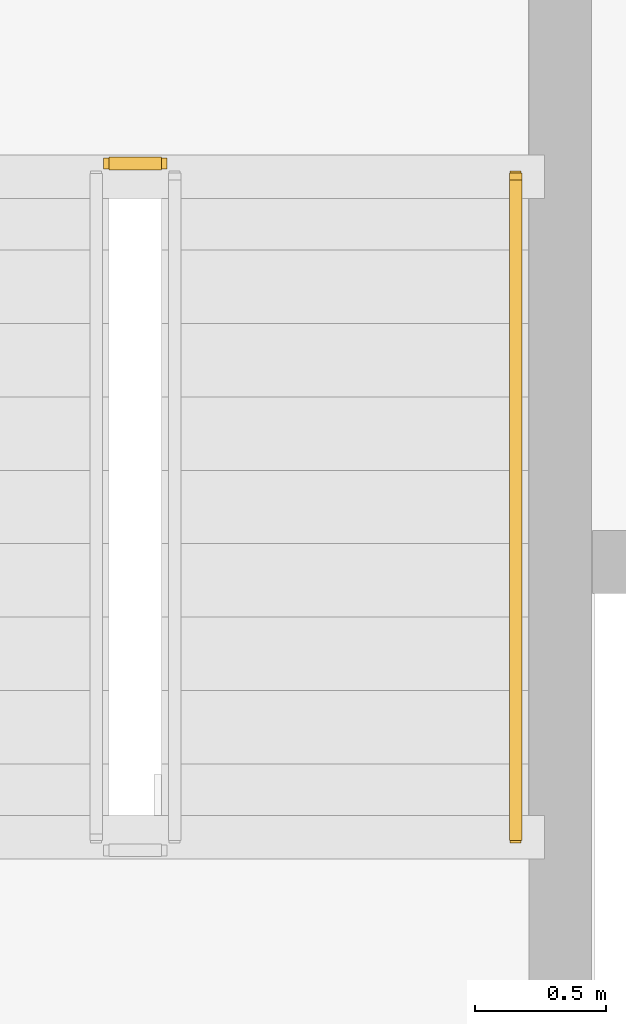
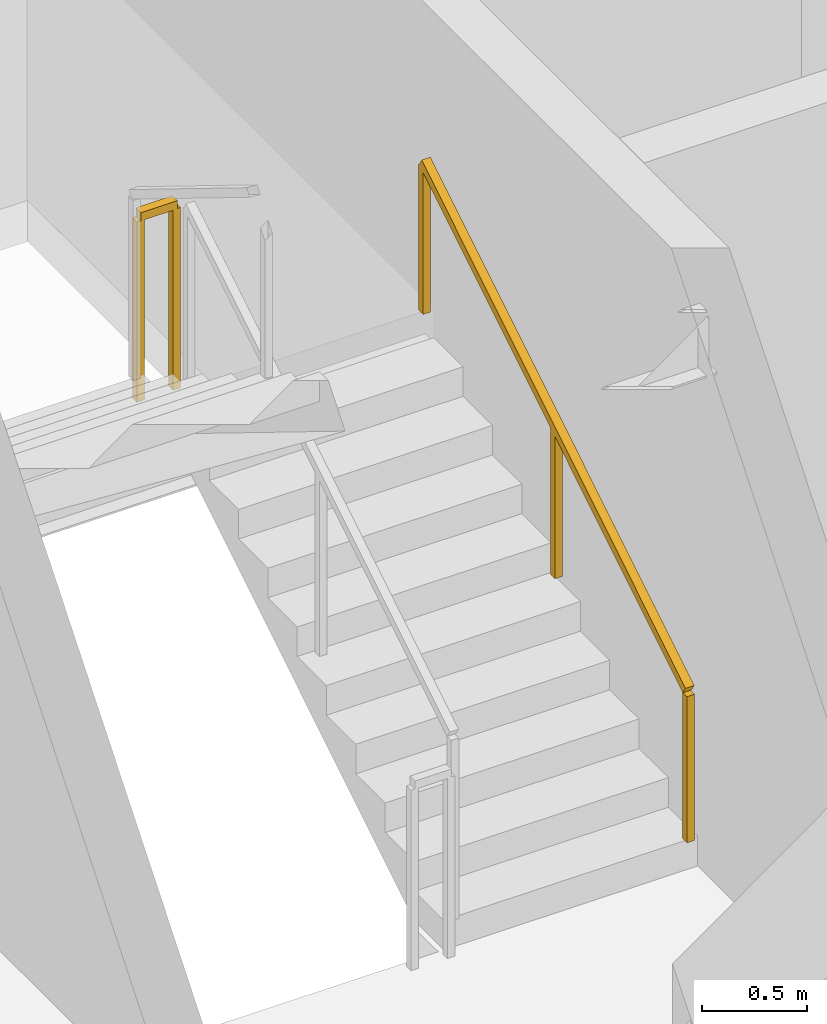
# One storey, part 10 of 11: 2 railings.
"""IFC4 building model written with IfcOpenShell, lengths in metres."""

from ifc_helpers import new_model, si_unit, direction, frame, origin, origin_2d, place, context, subcontext, project, spatial, rectangle, extrude, material, type_object, element, save


model = new_model("IFC4")

# Units and contexts
model_context = context("Model", 3, precision=1e-05, world=origin(), true_north=direction((0.0, 1.0)))
body_context = subcontext(model_context, "Body", "Model", "MODEL_VIEW")
ifc_project = project(units=[si_unit("LENGTHUNIT", "METRE"), si_unit("AREAUNIT", "SQUARE_METRE"), si_unit("VOLUMEUNIT", "CUBIC_METRE"), si_unit("PLANEANGLEUNIT", "RADIAN"), si_unit("MASSUNIT", "GRAM", prefix="KILO")], contexts=[model_context])

# Site, building, storey
site_placement = place(None, origin())
site = spatial("IfcSite", under=ifc_project, at=site_placement, CompositionType="ELEMENT")
building_placement = place(site_placement, origin())
building = spatial("IfcBuilding", under=site, at=building_placement, Name="Haldorwick Loom Tower", CompositionType="ELEMENT")
storey_placement = place(building_placement, frame((0.0, 0.0, 204.85009765625)))
storey = spatial("IfcBuildingStorey", under=building, at=storey_placement, Name="L55", CompositionType="ELEMENT", Elevation=204.85009765625)

# Railings
ifc_material = material(Name="Steel CSA G40.21 350W", Category="steel")
railing_type_1 = type_object("IfcRailingType", Name="ARC-RLG-GUARD112", PredefinedType="GUARDRAIL", material=ifc_material)
railing_1_placement = place(storey_placement, frame((31.85009765625, 30.969970703125, 1.724853515625)))
element("IfcRailing", 1, at=railing_1_placement, inside=storey, type_object=railing_type_1, Name="L55 ST-03 stair guard 2", PredefinedType="GUARDRAIL", context=body_context, shape_type="SweptSolid", body=[
    extrude(rectangle(XDim=0.048095703125, YDim=0.048095703125, at=origin_2d()), frame((0.0, 0.0, 1.076171875), z_axis=(-1.0, 0.0, 0.0), x_axis=(0.0, -1.0, 0.0)), (0.0, 0.0, 1.0), 0.2001953125),
    extrude(rectangle(XDim=0.0419921875, YDim=0.0419921875, at=origin_2d()), origin(), (0.0, 0.0, 1.0), 1.052001953125),
    extrude(rectangle(XDim=0.0419921875, YDim=0.0419921875, at=origin_2d()), frame((-0.2001953125, 0.0, 0.0)), (0.0, 0.0, 1.0), 1.052001953125),
])
railing_type_2 = type_object("IfcRailingType", Name="ARC-RLG-HAND092", PredefinedType="HANDRAIL", material=ifc_material)
railing_2_placement = place(storey_placement, frame((33.199951171875, 28.39990234375, 0.17236328125)))
element("IfcRailing", 2, at=railing_2_placement, inside=storey, type_object=railing_type_2, Name="L55 ST-03 stair handrail 1", PredefinedType="HANDRAIL", context=body_context, shape_type="SweptSolid", body=[
    extrude(rectangle(XDim=0.048095703125, YDim=0.048095703125, at=origin_2d()), frame((0.0, 0.0, 0.8759765625), z_axis=(0.0, 0.851400495292, 0.524516154772), x_axis=(-1.0, 0.0, 0.0)), (0.0, 0.0, 1.0), 2.9599609375),
    extrude(rectangle(XDim=0.0419921875, YDim=0.0419921875, at=origin_2d()), origin(), (0.0, 0.0, 1.0), 0.851806640625),
    extrude(rectangle(XDim=0.0419921875, YDim=0.0419921875, at=origin_2d()), frame((0.0, 1.260009765625, 0.7763671875)), (0.0, 0.0, 1.0), 0.851806640625),
    extrude(rectangle(XDim=0.0419921875, YDim=0.0419921875, at=origin_2d()), frame((0.0, 2.52001953125, 1.552490234375)), (0.0, 0.0, 1.0), 0.851806640625),
])

save(model, "model.ifc")
